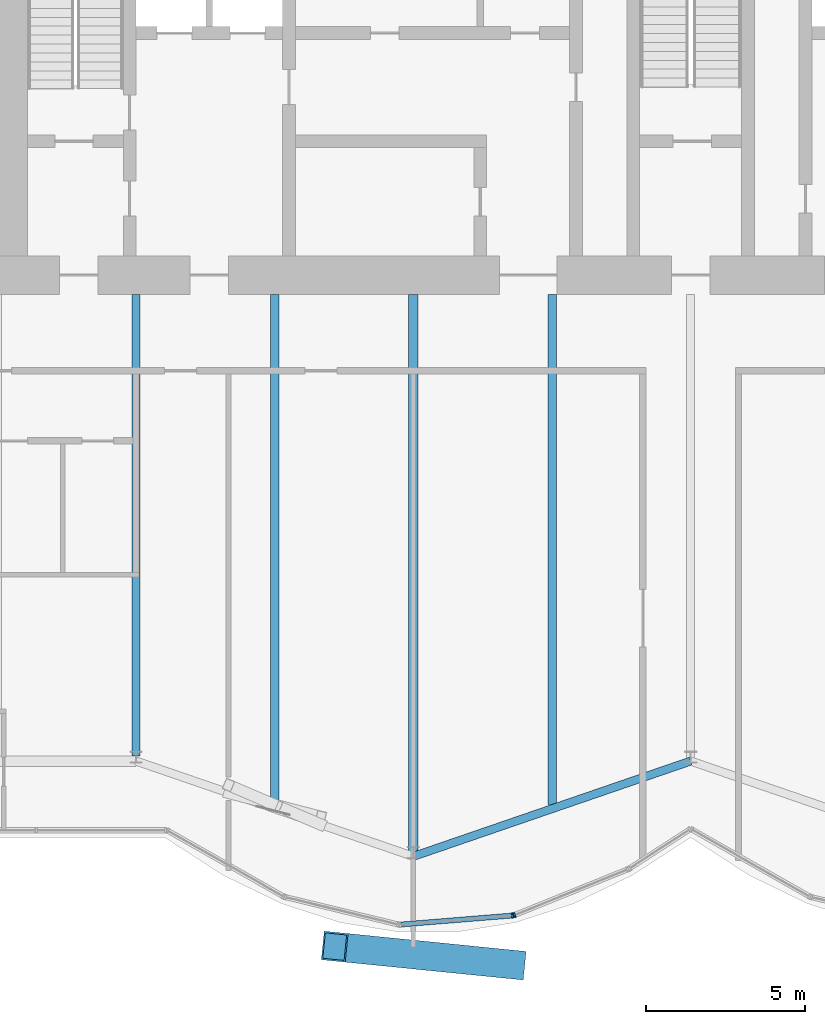
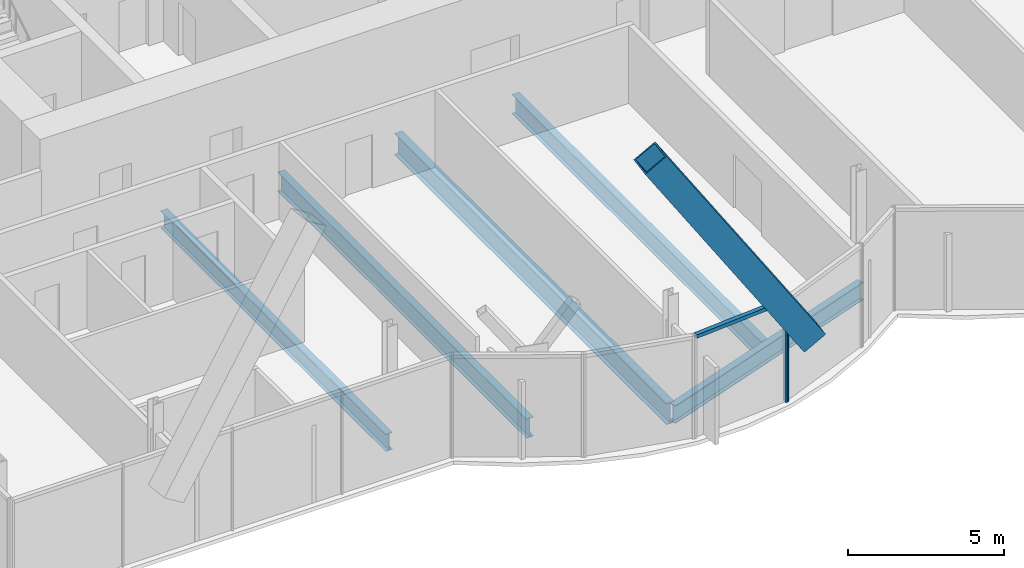
# One storey, part 6 of 20: 5 beams, 4 members, 1 element without a shape of its own.
"""IFC4 building model written with IfcOpenShell, lengths in metres."""

from ifc_helpers import new_model, si_unit, direction, frame, origin, origin_2d, place, context, subcontext, project, spatial, rectangle, hollow_rectangle, i_section, extrude, material, material_profile, profile_set, type_object, element, aggregate, save


model = new_model("IFC4")

# Units and contexts
model_context = context("Model", 3, precision=1e-05, world=origin(), true_north=direction((0.0, 1.0)))
body_context = subcontext(model_context, "Body", "Model", "MODEL_VIEW")
ifc_project = project(units=[si_unit("LENGTHUNIT", "METRE"), si_unit("AREAUNIT", "SQUARE_METRE"), si_unit("VOLUMEUNIT", "CUBIC_METRE"), si_unit("PLANEANGLEUNIT", "RADIAN"), si_unit("MASSUNIT", "GRAM", prefix="KILO")], contexts=[model_context])

# Site, building, storey
site_placement = place(None, origin())
site = spatial("IfcSite", under=ifc_project, at=site_placement, CompositionType="ELEMENT")
building_placement = place(site_placement, origin())
building = spatial("IfcBuilding", under=site, at=building_placement, Name="Bicima Exchange Tower", CompositionType="ELEMENT")
storey_placement = place(building_placement, frame((0.0, 0.0, 245.60009765625)))
storey = spatial("IfcBuildingStorey", under=building, at=storey_placement, Name="L55", CompositionType="ELEMENT", Elevation=245.60009765625)

# Member
ifc_material_1 = material(Name="Steel ASTM A572 Gr 50", Category="steel")
ifc_material_profile_1 = material_profile(ifc_material_1, hollow_rectangle(XDim=0.89990234375, YDim=0.89990234375, WallThickness=0.050048828125, at=origin_2d()))
ifc_profile_set_1 = profile_set([ifc_material_profile_1], Name="Steel ASTM A572 Gr 50")
member_type_1 = type_object("IfcMemberType", Name="Exo mega brace BOX 900x900x50", PredefinedType="BRACE", material=ifc_profile_set_1)
member_1_placement = place(storey_placement, frame((-5.583251953125, -34.027099609375, 3.5), z_axis=(-0.543735543775, 0.05463508, 0.837476367708), x_axis=(-0.099977539021, -0.994989694264, 0.0)))
element("IfcMember", 1, at=member_1_placement, inside=storey, type_object=member_type_1, Name="Exo mega brace front", PredefinedType="BRACE", context=body_context, shape_type="SweptSolid", body=[
    extrude(hollow_rectangle(XDim=0.89990234375, YDim=0.89990234375, WallThickness=0.050048828125, at=origin_2d()), origin(), (0.0, 0.0, 1.0), 10.268798828125),
])

# Beams
ifc_material_2 = material(Name="Steel ASTM A992 Gr 50", Category="steel")
ifc_material_profile_2 = material_profile(ifc_material_2, i_section(OverallWidth=0.25390625, OverallDepth=0.67822265625, WebThickness=0.01171875, FlangeThickness=0.016357421875, at=origin_2d()))
ifc_profile_set_2 = profile_set([ifc_material_profile_2], Name="Steel ASTM A992 Gr 50")
beam_type_1 = type_object("IfcBeamType", Name="Floor beam W27x84", PredefinedType="JOIST", material=ifc_profile_set_2)
beam_1_placement = place(storey_placement, frame((-17.39990234375, -13.0, -0.4892578125), z_axis=(0.0, -1.0, 0.0), x_axis=(1.0, 0.0, 0.0)))
element("IfcBeam", 2, at=beam_1_placement, inside=storey, type_object=beam_type_1, Name="Floor beam", PredefinedType="JOIST", context=body_context, shape_type="SweptSolid", body=[
    extrude(i_section(OverallWidth=0.25390625, OverallDepth=0.67822265625, WebThickness=0.01171875, FlangeThickness=0.016357421875, at=origin_2d()), origin(), (0.0, 0.0, 1.0), 14.4814453125),
])
ifc_material_profile_3 = material_profile(ifc_material_2, i_section(OverallWidth=0.2666015625, OverallDepth=0.75439453125, WebThickness=0.01318359375, FlangeThickness=0.01708984375, at=origin_2d()))
ifc_profile_set_3 = profile_set([ifc_material_profile_3], Name="Steel ASTM A992 Gr 50")
beam_type_2 = type_object("IfcBeamType", Name="Floor beam W30x99", PredefinedType="JOIST", material=ifc_profile_set_3)
for number, where, z_axis, x_axis, name in (
    (3, (-13.050048828125, -13.0, -0.52734375), (0.0, -1.0, 0.0), (1.0, 0.0, 0.0), "Floor beam"),
    (4, (-4.35009765625, -13.0, -0.52734375), (0.0, -1.0, 0.0), (1.0, 0.0, 0.0), "Floor beam"),
):
    element("IfcBeam", number, at=place(storey_placement, frame(where, z_axis=z_axis, x_axis=x_axis)), inside=storey, type_object=beam_type_2, Name=name, PredefinedType="JOIST", context=body_context, shape_type="SweptSolid", body=[
        extrude(i_section(OverallWidth=0.2666015625, OverallDepth=0.75439453125, WebThickness=0.01318359375, FlangeThickness=0.01708984375, at=origin_2d()), origin(), (0.0, 0.0, 1.0), 16.00390625),
    ])
ifc_material_profile_4 = material_profile(ifc_material_2, i_section(OverallWidth=0.2919921875, OverallDepth=0.835693359375, WebThickness=0.013916015625, FlangeThickness=0.018798828125, at=origin_2d()))
ifc_profile_set_4 = profile_set([ifc_material_profile_4], Name="Steel ASTM A992 Gr 50")
beam_type_3 = type_object("IfcBeamType", Name="Floor beam W33x118", PredefinedType="JOIST", material=ifc_profile_set_4)
beam_2_placement = place(storey_placement, frame((-8.699951171875, -13.0, -0.56787109375), z_axis=(0.0, -1.0, 0.0), x_axis=(1.0, 0.0, 0.0)))
element("IfcBeam", 5, at=beam_2_placement, inside=storey, type_object=beam_type_3, Name="Floor beam", PredefinedType="JOIST", context=body_context, shape_type="SweptSolid", body=[
    extrude(i_section(OverallWidth=0.2919921875, OverallDepth=0.835693359375, WebThickness=0.013916015625, FlangeThickness=0.018798828125, at=origin_2d()), origin(), (0.0, 0.0, 1.0), 17.49951171875),
])
ifc_material_profile_5 = material_profile(ifc_material_2, i_section(OverallWidth=0.256591796875, OverallDepth=0.693359375, WebThickness=0.014404296875, FlangeThickness=0.023681640625, at=origin_2d()))
ifc_profile_set_5 = profile_set([ifc_material_profile_5], Name="Steel ASTM A992 Gr 50")
beam_type_4 = type_object("IfcBeamType", Name="Front girder W27x114", PredefinedType="BEAM", material=ifc_profile_set_5)
beam_3_placement = place(storey_placement, frame((-8.699951171875, -30.635009765625, -0.496826171875), z_axis=(0.945674616091, 0.32511462668, 0.0), x_axis=(-0.32511462668, 0.945674616091, 0.0)))
element("IfcBeam", 6, at=beam_3_placement, inside=storey, type_object=beam_type_4, Name="Front girder", PredefinedType="BEAM", context=body_context, shape_type="SweptSolid", body=[
    extrude(i_section(OverallWidth=0.256591796875, OverallDepth=0.693359375, WebThickness=0.014404296875, FlangeThickness=0.023681640625, at=origin_2d()), origin(), (0.0, 0.0, 1.0), 9.19970703125),
])

# Curtain wall, members
ifc_material_3 = material(Name="Anodised bronze aluminium", Category="aluminium")
curtain_wall_type = type_object("IfcCurtainWallType", Name="Front glass wall", PredefinedType="NOTDEFINED", material=ifc_material_3)
curtain_wall_placement = place(storey_placement, origin())
curtain_wall = element("IfcCurtainWall", 7, at=curtain_wall_placement, inside=storey, type_object=curtain_wall_type, Name="Front glass wall L55 run 6", PredefinedType="NOTDEFINED")
ifc_material_profile_6 = material_profile(ifc_material_3, rectangle(XDim=0.159912109375, YDim=0.06005859375, at=origin_2d()))
ifc_profile_set_6 = profile_set([ifc_material_profile_6], Name="Anodised bronze aluminium")
member_type_2 = type_object("IfcMemberType", Name="Front glass wall mullion 60 x 160", PredefinedType="MULLION", material=ifc_profile_set_6)
member_2_placement = place(storey_placement, frame((-5.583984375, -32.48876953125, 0.0), z_axis=(0.0, 0.0, 1.0), x_axis=(-0.080588612633, 0.99674744821, 0.0)))
member_2 = element("IfcMember", 8, at=member_2_placement, type_object=member_type_2, Name="Front glass wall mullion 2", PredefinedType="MULLION", context=body_context, shape_type="SweptSolid", body=[
    extrude(rectangle(XDim=0.159912109375, YDim=0.06005859375, at=origin_2d()), origin(), (0.0, 0.0, 1.0), 4.0498046875),
])
member_3_placement = place(storey_placement, frame((-5.526123046875, -32.47509765625, 0.0), z_axis=(0.0, 0.0, 1.0), x_axis=(-0.374705304, 0.92714396679, 0.0)))
member_3 = element("IfcMember", 9, at=member_3_placement, type_object=member_type_2, Name="Front glass wall mullion 1", PredefinedType="MULLION", context=body_context, shape_type="SweptSolid", body=[
    extrude(rectangle(XDim=0.159912109375, YDim=0.06005859375, at=origin_2d()), origin(), (0.0, 0.0, 1.0), 4.0498046875),
])
ifc_material_profile_7 = material_profile(ifc_material_3, rectangle(XDim=0.159912109375, YDim=0.139892578125, at=origin_2d()))
ifc_profile_set_7 = profile_set([ifc_material_profile_7], Name="Anodised bronze aluminium")
member_type_3 = type_object("IfcMemberType", Name="Front glass wall transom 140 x 160", PredefinedType="USERDEFINED", material=ifc_profile_set_7)
member_4_placement = place(storey_placement, frame((-9.08837890625, -32.772216796875, 3.97998046875), z_axis=(0.9967456465, 0.080610893699, 0.0), x_axis=(-0.080610893699, 0.9967456465, 0.0)))
member_4 = element("IfcMember", 10, at=member_4_placement, type_object=member_type_3, Name="Front glass wall transom 1.1", ObjectType="TRANSOM", PredefinedType="USERDEFINED", context=body_context, shape_type="SweptSolid", body=[
    extrude(rectangle(XDim=0.159912109375, YDim=0.139892578125, at=origin_2d()), origin(), (0.0, 0.0, 1.0), 3.48583984375),
])
aggregate(curtain_wall, [member_2, member_4, member_3])

save(model, "model.ifc")
